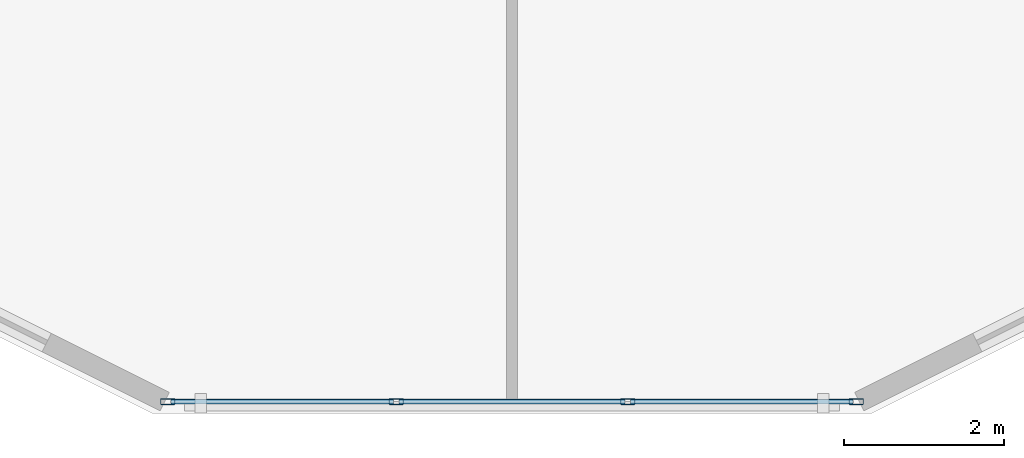
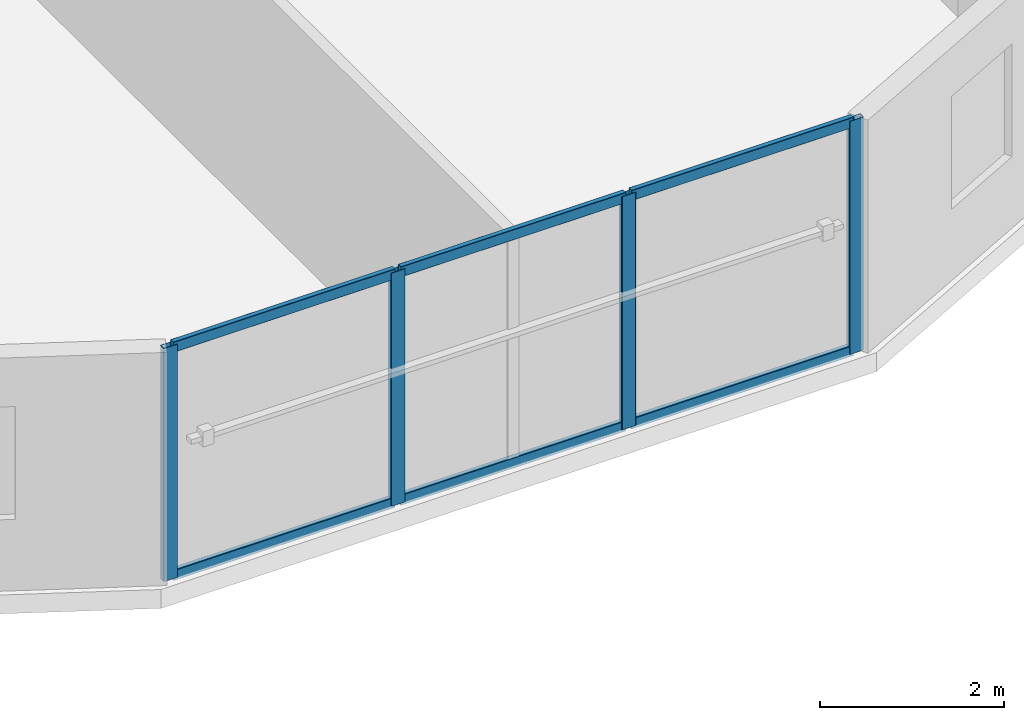
# One storey, part 2 of 13: 10 members, 1 element without a shape of its own.
"""IFC4 building model written with IfcOpenShell, lengths in metres."""

from ifc_helpers import new_model, si_unit, direction, frame, origin, origin_2d, place, context, subcontext, project, spatial, hollow_rectangle, extrude, material, layer, layer_set, material_profile, profile_set, type_object, element, aggregate, save


model = new_model("IFC4")

# Units and contexts
model_context = context("Model", 3, precision=1e-05, world=origin(), true_north=direction((0.0, 1.0)))
body_context = subcontext(model_context, "Body", "Model", "MODEL_VIEW")
ifc_project = project(units=[si_unit("LENGTHUNIT", "METRE"), si_unit("AREAUNIT", "SQUARE_METRE"), si_unit("VOLUMEUNIT", "CUBIC_METRE"), si_unit("PLANEANGLEUNIT", "RADIAN"), si_unit("MASSUNIT", "GRAM", prefix="KILO")], contexts=[model_context])

# Site, building, storey
site_placement = place(None, origin())
site = spatial("IfcSite", under=ifc_project, at=site_placement, CompositionType="ELEMENT")
building_placement = place(site_placement, origin())
building = spatial("IfcBuilding", under=site, at=building_placement, Name="Tarnavaz Court Tower", CompositionType="ELEMENT")
storey_placement = place(building_placement, frame((0.0, 0.0, 196.949951171875)))
storey = spatial("IfcBuildingStorey", under=building, at=storey_placement, Name="L53", CompositionType="ELEMENT", Elevation=196.949951171875)

# Curtain wall, members
ifc_material_1 = material(Name="Anodised Aluminium 6063-T6 and Solar Low-E Glazing", Category="aluminium")
ifc_layer = layer(ifc_material_1, 0.159912109375)
ifc_layer_set = layer_set([ifc_layer], Name="Anodised Aluminium 6063-T6 and Solar Low-E Glazing")
curtain_wall_type = type_object("IfcCurtainWallType", Name="CW-SYS-03", PredefinedType="NOTDEFINED", material=ifc_layer_set)
curtain_wall_placement = place(storey_placement, origin())
curtain_wall = element("IfcCurtainWall", 1, at=curtain_wall_placement, inside=storey, type_object=curtain_wall_type, Name="L53 Iwan Prow Curtain Wall 17", PredefinedType="NOTDEFINED")
ifc_material_2 = material(Name="Anodised Aluminium 6063-T6", Category="aluminium")
ifc_material_profile_1 = material_profile(ifc_material_2, hollow_rectangle(XDim=0.074951171875, YDim=0.179931640625, WallThickness=0.0048828125, InnerFilletRadius=0.0048828125, OuterFilletRadius=0.010009765625, at=origin_2d()), Name="ALU RHS 180X75X5")
ifc_profile_set_1 = profile_set([ifc_material_profile_1], Name="Anodised Aluminium 6063-T6")
member_type_1 = type_object("IfcMemberType", Name="CW-MUL-180", PredefinedType="MULLION", material=ifc_profile_set_1)
member_1_placement = place(storey_placement, frame((4.3125, -22.35009765625, 0.0), z_axis=(0.0, 0.0, 1.0), x_axis=(0.0, -1.0, 0.0)))
member_1 = element("IfcMember", 2, at=member_1_placement, type_object=member_type_1, Name="CW mullion 1", PredefinedType="MULLION", context=body_context, shape_type="SweptSolid", body=[
    extrude(hollow_rectangle(XDim=0.074951171875, YDim=0.179931640625, WallThickness=0.0048828125, InnerFilletRadius=0.0048828125, OuterFilletRadius=0.010009765625, at=origin_2d()), origin(), (0.0, 0.0, 1.0), 3.10009765625),
])
member_2_placement = place(storey_placement, frame((1.449951171875, -22.35009765625, 0.0), z_axis=(0.0, 0.0, 1.0), x_axis=(0.0, -1.0, 0.0)))
member_2 = element("IfcMember", 3, at=member_2_placement, type_object=member_type_1, Name="CW mullion 2", PredefinedType="MULLION", context=body_context, shape_type="SweptSolid", body=[
    extrude(hollow_rectangle(XDim=0.074951171875, YDim=0.179931640625, WallThickness=0.0048828125, InnerFilletRadius=0.0048828125, OuterFilletRadius=0.010009765625, at=origin_2d()), origin(), (0.0, 0.0, 1.0), 3.10009765625),
])
member_3_placement = place(storey_placement, frame((-1.449951171875, -22.35009765625, 0.0), z_axis=(0.0, 0.0, 1.0), x_axis=(0.0, -1.0, 0.0)))
member_3 = element("IfcMember", 4, at=member_3_placement, type_object=member_type_1, Name="CW mullion 3", PredefinedType="MULLION", context=body_context, shape_type="SweptSolid", body=[
    extrude(hollow_rectangle(XDim=0.074951171875, YDim=0.179931640625, WallThickness=0.0048828125, InnerFilletRadius=0.0048828125, OuterFilletRadius=0.010009765625, at=origin_2d()), origin(), (0.0, 0.0, 1.0), 3.10009765625),
])
member_4_placement = place(storey_placement, frame((-4.3125, -22.35009765625, 0.0), z_axis=(0.0, 0.0, 1.0), x_axis=(0.0, -1.0, 0.0)))
member_4 = element("IfcMember", 5, at=member_4_placement, type_object=member_type_1, Name="CW mullion 4", PredefinedType="MULLION", context=body_context, shape_type="SweptSolid", body=[
    extrude(hollow_rectangle(XDim=0.074951171875, YDim=0.179931640625, WallThickness=0.0048828125, InnerFilletRadius=0.0048828125, OuterFilletRadius=0.010009765625, at=origin_2d()), origin(), (0.0, 0.0, 1.0), 3.10009765625),
])
ifc_material_profile_2 = material_profile(ifc_material_2, hollow_rectangle(XDim=0.06494140625, YDim=0.139892578125, WallThickness=0.00390625, InnerFilletRadius=0.00390625, OuterFilletRadius=0.008056640625, at=origin_2d()), Name="ALU RHS 140X65X4")
ifc_profile_set_2 = profile_set([ifc_material_profile_2], Name="Anodised Aluminium 6063-T6")
member_type_2 = type_object("IfcMemberType", Name="CW-TRN-140", PredefinedType="USERDEFINED", material=ifc_profile_set_2)
member_5_placement = place(storey_placement, frame((4.27490234375, -22.35009765625, 0.032470703125), z_axis=(-1.0, 0.0, 0.0), x_axis=(0.0, -1.0, 0.0)))
member_5 = element("IfcMember", 6, at=member_5_placement, type_object=member_type_2, Name="CW transom 1.1", ObjectType="TRANSOM", PredefinedType="USERDEFINED", context=body_context, shape_type="SweptSolid", body=[
    extrude(hollow_rectangle(XDim=0.06494140625, YDim=0.139892578125, WallThickness=0.00390625, InnerFilletRadius=0.00390625, OuterFilletRadius=0.008056640625, at=origin_2d()), origin(), (0.0, 0.0, 1.0), 2.787353515625),
])
member_6_placement = place(storey_placement, frame((4.27490234375, -22.35009765625, 3.067626953125), z_axis=(-1.0, 0.0, 0.0), x_axis=(0.0, -1.0, 0.0)))
member_6 = element("IfcMember", 7, at=member_6_placement, type_object=member_type_2, Name="CW transom 1.2", ObjectType="TRANSOM", PredefinedType="USERDEFINED", context=body_context, shape_type="SweptSolid", body=[
    extrude(hollow_rectangle(XDim=0.06494140625, YDim=0.139892578125, WallThickness=0.00390625, InnerFilletRadius=0.00390625, OuterFilletRadius=0.008056640625, at=origin_2d()), origin(), (0.0, 0.0, 1.0), 2.787353515625),
])
member_7_placement = place(storey_placement, frame((1.41259765625, -22.35009765625, 0.032470703125), z_axis=(-1.0, 0.0, 0.0), x_axis=(0.0, -1.0, 0.0)))
member_7 = element("IfcMember", 8, at=member_7_placement, type_object=member_type_2, Name="CW transom 2.1", ObjectType="TRANSOM", PredefinedType="USERDEFINED", context=body_context, shape_type="SweptSolid", body=[
    extrude(hollow_rectangle(XDim=0.06494140625, YDim=0.139892578125, WallThickness=0.00390625, InnerFilletRadius=0.00390625, OuterFilletRadius=0.008056640625, at=origin_2d()), origin(), (0.0, 0.0, 1.0), 2.8251953125),
])
member_8_placement = place(storey_placement, frame((1.41259765625, -22.35009765625, 3.067626953125), z_axis=(-1.0, 0.0, 0.0), x_axis=(0.0, -1.0, 0.0)))
member_8 = element("IfcMember", 9, at=member_8_placement, type_object=member_type_2, Name="CW transom 2.2", ObjectType="TRANSOM", PredefinedType="USERDEFINED", context=body_context, shape_type="SweptSolid", body=[
    extrude(hollow_rectangle(XDim=0.06494140625, YDim=0.139892578125, WallThickness=0.00390625, InnerFilletRadius=0.00390625, OuterFilletRadius=0.008056640625, at=origin_2d()), origin(), (0.0, 0.0, 1.0), 2.8251953125),
])
member_9_placement = place(storey_placement, frame((-1.487548828125, -22.35009765625, 0.032470703125), z_axis=(-1.0, 0.0, 0.0), x_axis=(0.0, -1.0, 0.0)))
member_9 = element("IfcMember", 10, at=member_9_placement, type_object=member_type_2, Name="CW transom 3.1", ObjectType="TRANSOM", PredefinedType="USERDEFINED", context=body_context, shape_type="SweptSolid", body=[
    extrude(hollow_rectangle(XDim=0.06494140625, YDim=0.139892578125, WallThickness=0.00390625, InnerFilletRadius=0.00390625, OuterFilletRadius=0.008056640625, at=origin_2d()), origin(), (0.0, 0.0, 1.0), 2.787353515625),
])
member_10_placement = place(storey_placement, frame((-1.487548828125, -22.35009765625, 3.067626953125), z_axis=(-1.0, 0.0, 0.0), x_axis=(0.0, -1.0, 0.0)))
member_10 = element("IfcMember", 11, at=member_10_placement, type_object=member_type_2, Name="CW transom 3.2", ObjectType="TRANSOM", PredefinedType="USERDEFINED", context=body_context, shape_type="SweptSolid", body=[
    extrude(hollow_rectangle(XDim=0.06494140625, YDim=0.139892578125, WallThickness=0.00390625, InnerFilletRadius=0.00390625, OuterFilletRadius=0.008056640625, at=origin_2d()), origin(), (0.0, 0.0, 1.0), 2.787353515625),
])
aggregate(curtain_wall, [member_1, member_2, member_3, member_4, member_5, member_6, member_7, member_8, member_9, member_10])

save(model, "model.ifc")
